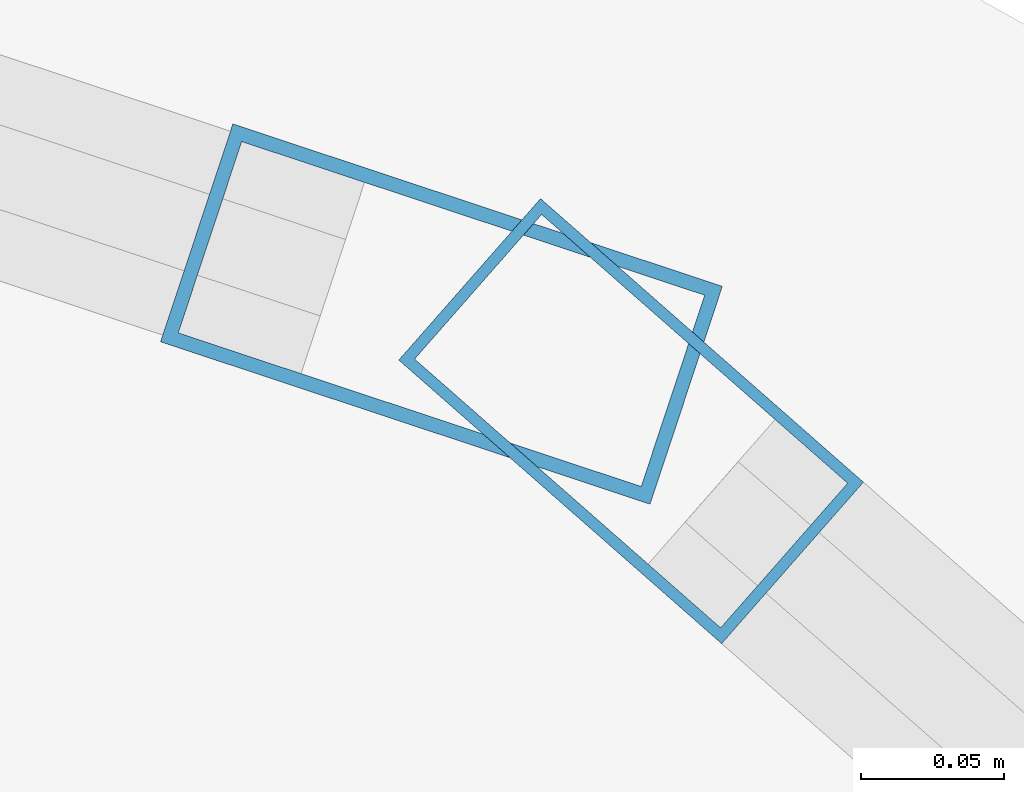
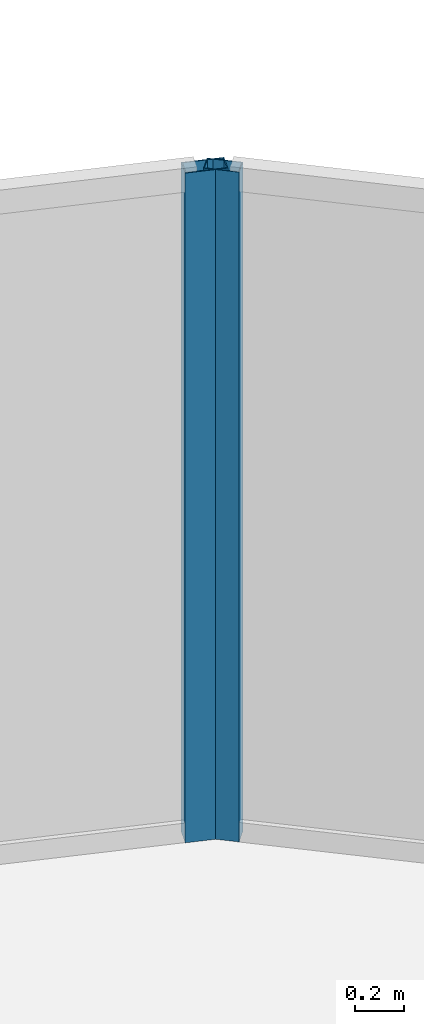
# One storey, part 21 of 34: 2 members, 2 elements without a shape of their own.
"""IFC4 building model written with IfcOpenShell, lengths in metres."""

from ifc_helpers import new_model, si_unit, direction, frame, origin, origin_2d, place, context, subcontext, project, spatial, hollow_rectangle, extrude, material, layer, layer_set, material_profile, profile_set, type_object, element, aggregate, save


model = new_model("IFC4")

# Units and contexts
model_context = context("Model", 3, precision=1e-05, world=origin(), true_north=direction((0.0, 1.0)))
body_context = subcontext(model_context, "Body", "Model", "MODEL_VIEW")
ifc_project = project(units=[si_unit("LENGTHUNIT", "METRE"), si_unit("AREAUNIT", "SQUARE_METRE"), si_unit("VOLUMEUNIT", "CUBIC_METRE"), si_unit("PLANEANGLEUNIT", "RADIAN"), si_unit("MASSUNIT", "GRAM", prefix="KILO")], contexts=[model_context])

# Site, building, storey
site_placement = place(None, origin())
site = spatial("IfcSite", under=ifc_project, at=site_placement, CompositionType="ELEMENT")
building_placement = place(site_placement, origin())
building = spatial("IfcBuilding", under=site, at=building_placement, Name="Kazevale Care Tower and Concert Hall", CompositionType="ELEMENT")
storey_placement = place(building_placement, frame((0.0, 0.0, 174.60009765625)))
storey = spatial("IfcBuildingStorey", under=building, at=storey_placement, Name="L46", CompositionType="ELEMENT", Elevation=174.60009765625)

# Curtain wall, member
ifc_material_1 = material(Name="Aluminium 6063-T6 and Low-E Glass", Category="aluminium")
ifc_layer_1 = layer(ifc_material_1, 0.179931640625)
ifc_layer_set_1 = layer_set([ifc_layer_1], Name="Aluminium 6063-T6 and Low-E Glass")
curtain_wall_type_1 = type_object("IfcCurtainWallType", Name="Convex Checkerboard Finned Curtain Wall CW-2", PredefinedType="NOTDEFINED", material=ifc_layer_set_1)
curtain_wall_1_placement = place(storey_placement, origin())
curtain_wall_1 = element("IfcCurtainWall", 1, at=curtain_wall_1_placement, inside=storey, type_object=curtain_wall_type_1, Name="cw:L46:f16", PredefinedType="NOTDEFINED")
ifc_material_2 = material(Name="Aluminium 6063-T6", Category="aluminium")
ifc_material_profile_1 = material_profile(ifc_material_2, hollow_rectangle(XDim=0.080078125, YDim=0.179931640625, WallThickness=0.0048828125, at=origin_2d()), Name="ALU80x180x5")
ifc_profile_set_1 = profile_set([ifc_material_profile_1], Name="Aluminium 6063-T6")
member_type_1 = type_object("IfcMemberType", Name="CW-2 Mullion ALU80x180x5", PredefinedType="MULLION", material=ifc_profile_set_1)
member_1_placement = place(storey_placement, frame((63.14501953125, 60.734619140625, 0.0), z_axis=(0.0, 0.0, 1.0), x_axis=(0.314868185785, 0.949135409507, 0.0)))
member_1 = element("IfcMember", 2, at=member_1_placement, type_object=member_type_1, Name="CW-2 mullion 2", PredefinedType="MULLION", context=body_context, shape_type="SweptSolid", body=[
    extrude(hollow_rectangle(XDim=0.080078125, YDim=0.179931640625, WallThickness=0.0048828125, at=origin_2d()), origin(), (0.0, 0.0, 1.0), 3.35986328125),
])
aggregate(curtain_wall_1, [member_1])

ifc_layer_2 = layer(ifc_material_1, 0.179931640625)
ifc_layer_set_2 = layer_set([ifc_layer_2], Name="Aluminium 6063-T6 and Low-E Glass")
curtain_wall_type_2 = type_object("IfcCurtainWallType", Name="Convex Recessed Sunroom Curtain Wall CW-3", PredefinedType="NOTDEFINED", material=ifc_layer_set_2)
curtain_wall_2_placement = place(storey_placement, origin())
curtain_wall_2 = element("IfcCurtainWall", 3, at=curtain_wall_2_placement, inside=storey, type_object=curtain_wall_type_2, Name="cw:L46:f17", PredefinedType="NOTDEFINED")
ifc_material_profile_2 = material_profile(ifc_material_2, hollow_rectangle(XDim=0.074951171875, YDim=0.14990234375, WallThickness=0.00390625, at=origin_2d()), Name="ALU75x150x4")
ifc_profile_set_2 = profile_set([ifc_material_profile_2], Name="Aluminium 6063-T6")
member_type_2 = type_object("IfcMemberType", Name="CW-3 Mullion ALU75x150x4", PredefinedType="MULLION", material=ifc_profile_set_2)
member_2_placement = place(storey_placement, frame((63.211181640625, 60.697265625, 0.0), z_axis=(0.0, 0.0, 1.0), x_axis=(0.659891732197, 0.751360700182, 0.0)))
member_2 = element("IfcMember", 4, at=member_2_placement, type_object=member_type_2, Name="CW-3 mullion 1", PredefinedType="MULLION", context=body_context, shape_type="SweptSolid", body=[
    extrude(hollow_rectangle(XDim=0.074951171875, YDim=0.14990234375, WallThickness=0.00390625, at=origin_2d()), origin(), (0.0, 0.0, 1.0), 3.35986328125),
])
aggregate(curtain_wall_2, [member_2])

save(model, "model.ifc")
